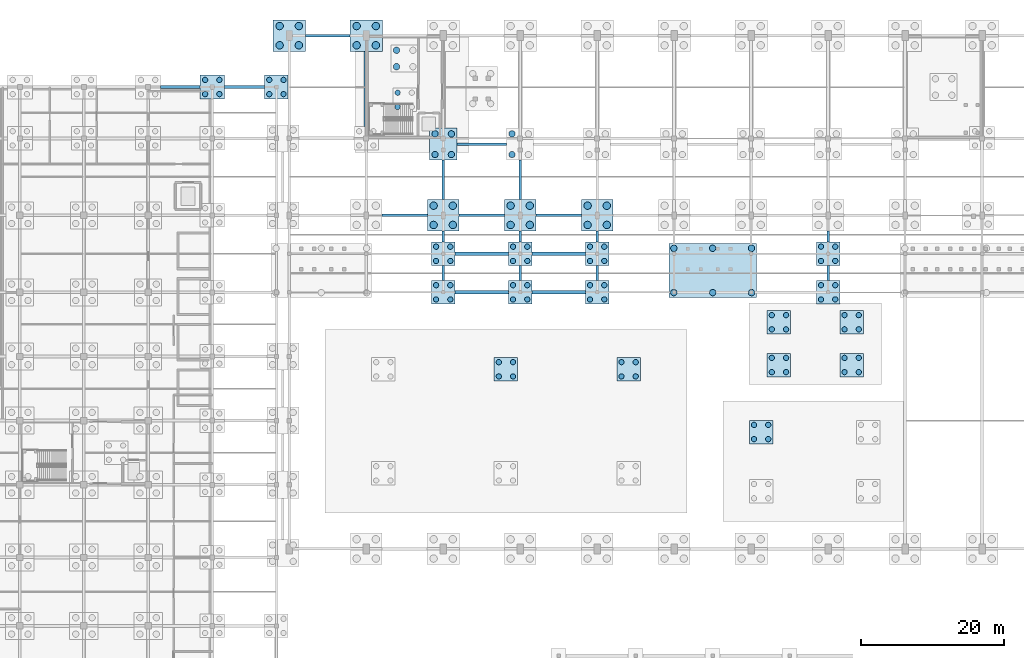
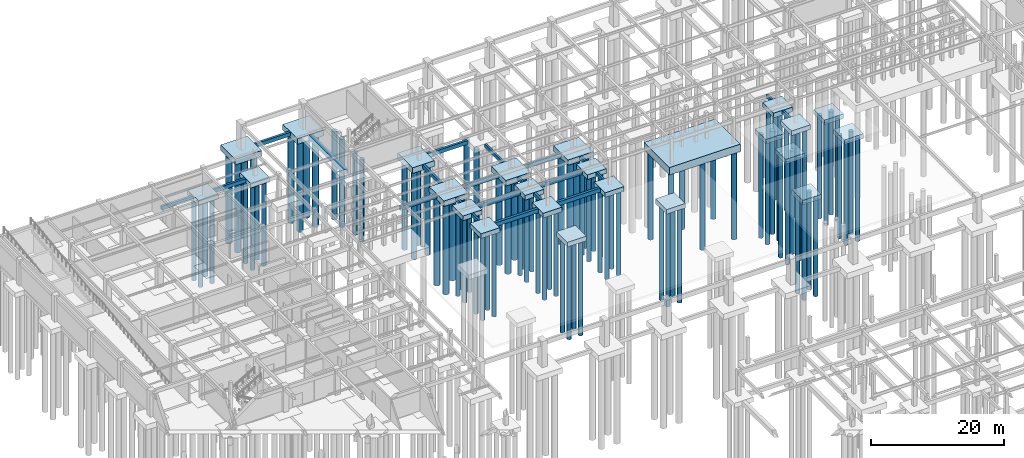
# One storey, part 6 of 33: 104 piles, 46 footings.
"""IFC4 building model written with IfcOpenShell, lengths in metres."""

from ifc_helpers import new_model, si_unit, direction, frame, origin, origin_2d, place, context, subcontext, project, spatial, rectangle, circle, extrude, material, material_profile, profile_set, type_object, element, save


model = new_model("IFC4")

# Units and contexts
model_context = context("Model", 3, precision=1e-05, world=origin(), true_north=direction((0.0, 1.0)))
body_context = subcontext(model_context, "Body", "Model", "MODEL_VIEW")
ifc_project = project(units=[si_unit("LENGTHUNIT", "METRE"), si_unit("AREAUNIT", "SQUARE_METRE"), si_unit("VOLUMEUNIT", "CUBIC_METRE"), si_unit("PLANEANGLEUNIT", "RADIAN"), si_unit("MASSUNIT", "GRAM", prefix="KILO")], contexts=[model_context])

# Site, building, storey
site_placement = place(None, origin())
site = spatial("IfcSite", under=ifc_project, at=site_placement, CompositionType="ELEMENT")
building_placement = place(site_placement, origin())
building = spatial("IfcBuilding", under=site, at=building_placement, Name="Suirenkawa Promenade Aquatics Centre", CompositionType="ELEMENT")
storey_placement = place(building_placement, frame((0.0, 0.0, -4.800048828125)))
storey = spatial("IfcBuildingStorey", under=building, at=storey_placement, Name="B1", CompositionType="ELEMENT", Elevation=-4.800048828125)

# Footings
ifc_material = material(Name="Concrete M35", Category="concrete")
footing_type_1 = type_object("IfcFootingType", Name="FT-GB-350x650", PredefinedType="FOOTING_BEAM", material=ifc_material)
footing_1_placement = place(storey_placement, frame((68.39990234375, 89.10009765625, -0.64990234375), z_axis=(0.0, 0.0, 1.0), x_axis=(0.0, 1.0, 0.0)))
element("IfcFooting", 1, at=footing_1_placement, inside=storey, type_object=footing_type_1, Name="Ground tie beam GB-06 GB-0238", PredefinedType="FOOTING_BEAM", context=body_context, shape_type="SweptSolid", body=[
    extrude(rectangle(XDim=2.10009765625, YDim=0.35009765625, at=origin_2d()), origin(), (0.0, 0.0, 1.0), 0.64990234375),
])
footing_2_placement = place(storey_placement, frame((68.39990234375, 94.22509765625, -0.64990234375), z_axis=(0.0, 0.0, 1.0), x_axis=(0.0, 1.0, 0.0)))
element("IfcFooting", 2, at=footing_2_placement, inside=storey, type_object=footing_type_1, Name="Ground tie beam GB-06 GB-0239", PredefinedType="FOOTING_BEAM", context=body_context, shape_type="SweptSolid", body=[
    extrude(rectangle(XDim=1.550048828125, YDim=0.35009765625, at=origin_2d()), origin(), (0.0, 0.0, 1.0), 0.64990234375),
])
footing_3_placement = place(storey_placement, frame((68.39990234375, 102.16259765625, -0.64990234375), z_axis=(0.0, 0.0, 1.0), x_axis=(0.0, 1.0, 0.0)))
element("IfcFooting", 3, at=footing_3_placement, inside=storey, type_object=footing_type_1, Name="Ground tie beam GB-06 GB-0240", PredefinedType="FOOTING_BEAM", context=body_context, shape_type="SweptSolid", body=[
    extrude(rectangle(XDim=5.52490234375, YDim=0.35009765625, at=origin_2d()), origin(), (0.0, 0.0, 1.0), 0.64990234375),
])
footing_4_placement = place(storey_placement, frame((79.199951171875, 89.10009765625, -0.64990234375), z_axis=(0.0, 0.0, 1.0), x_axis=(0.0, 1.0, 0.0)))
element("IfcFooting", 4, at=footing_4_placement, inside=storey, type_object=footing_type_1, Name="Ground tie beam GB-06 GB-0245", PredefinedType="FOOTING_BEAM", context=body_context, shape_type="SweptSolid", body=[
    extrude(rectangle(XDim=2.10009765625, YDim=0.35009765625, at=origin_2d()), origin(), (0.0, 0.0, 1.0), 0.64990234375),
])
footing_5_placement = place(storey_placement, frame((79.199951171875, 94.22509765625, -0.64990234375), z_axis=(0.0, 0.0, 1.0), x_axis=(0.0, 1.0, 0.0)))
element("IfcFooting", 5, at=footing_5_placement, inside=storey, type_object=footing_type_1, Name="Ground tie beam GB-06 GB-0246", PredefinedType="FOOTING_BEAM", context=body_context, shape_type="SweptSolid", body=[
    extrude(rectangle(XDim=1.550048828125, YDim=0.35009765625, at=origin_2d()), origin(), (0.0, 0.0, 1.0), 0.64990234375),
])
footing_6_placement = place(storey_placement, frame((79.199951171875, 102.16259765625, -0.64990234375), z_axis=(0.0, 0.0, 1.0), x_axis=(0.0, 1.0, 0.0)))
element("IfcFooting", 6, at=footing_6_placement, inside=storey, type_object=footing_type_1, Name="Ground tie beam GB-06 GB-0247", PredefinedType="FOOTING_BEAM", context=body_context, shape_type="SweptSolid", body=[
    extrude(rectangle(XDim=5.52490234375, YDim=0.35009765625, at=origin_2d()), origin(), (0.0, 0.0, 1.0), 0.64990234375),
])
footing_7_placement = place(storey_placement, frame((90.0, 89.10009765625, -0.64990234375), z_axis=(0.0, 0.0, 1.0), x_axis=(0.0, 1.0, 0.0)))
element("IfcFooting", 7, at=footing_7_placement, inside=storey, type_object=footing_type_1, Name="Ground tie beam GB-06 GB-0252", PredefinedType="FOOTING_BEAM", context=body_context, shape_type="SweptSolid", body=[
    extrude(rectangle(XDim=2.10009765625, YDim=0.35009765625, at=origin_2d()), origin(), (0.0, 0.0, 1.0), 0.64990234375),
])
footing_8_placement = place(storey_placement, frame((90.0, 94.22509765625, -0.64990234375), z_axis=(0.0, 0.0, 1.0), x_axis=(0.0, 1.0, 0.0)))
element("IfcFooting", 8, at=footing_8_placement, inside=storey, type_object=footing_type_1, Name="Ground tie beam GB-06 GB-0253", PredefinedType="FOOTING_BEAM", context=body_context, shape_type="SweptSolid", body=[
    extrude(rectangle(XDim=1.550048828125, YDim=0.35009765625, at=origin_2d()), origin(), (0.0, 0.0, 1.0), 0.64990234375),
])
footing_9_placement = place(storey_placement, frame((122.39990234375, 89.10009765625, -0.64990234375), z_axis=(0.0, 0.0, 1.0), x_axis=(0.0, 1.0, 0.0)))
element("IfcFooting", 9, at=footing_9_placement, inside=storey, type_object=footing_type_1, Name="Ground tie beam GB-06 GB-0270", PredefinedType="FOOTING_BEAM", context=body_context, shape_type="SweptSolid", body=[
    extrude(rectangle(XDim=2.10009765625, YDim=0.35009765625, at=origin_2d()), origin(), (0.0, 0.0, 1.0), 0.64990234375),
])
footing_10_placement = place(storey_placement, frame((122.39990234375, 94.22509765625, -0.64990234375), z_axis=(0.0, 0.0, 1.0), x_axis=(0.0, 1.0, 0.0)))
element("IfcFooting", 10, at=footing_10_placement, inside=storey, type_object=footing_type_1, Name="Ground tie beam GB-06 GB-0271", PredefinedType="FOOTING_BEAM", context=body_context, shape_type="SweptSolid", body=[
    extrude(rectangle(XDim=1.550048828125, YDim=0.35009765625, at=origin_2d()), origin(), (0.0, 0.0, 1.0), 0.64990234375),
])
footing_type_2 = type_object("IfcFootingType", Name="FT-GB-400x700", PredefinedType="FOOTING_BEAM", material=ifc_material)
for number, where, z_axis, x_axis, name in (
    (11, (63.0, 97.199951171875, -0.69970703125), (0.0, 0.0, 1.0), (1.0, 0.0, 0.0), "Ground tie beam GB-01 GB-0128"),
    (12, (73.800048828125, 97.199951171875, -0.69970703125), (0.0, 0.0, 1.0), (1.0, 0.0, 0.0), "Ground tie beam GB-01 GB-0129"),
    (13, (84.60009765625, 97.199951171875, -0.69970703125), (0.0, 0.0, 1.0), (1.0, 0.0, 0.0), "Ground tie beam GB-01 GB-0130"),
):
    element("IfcFooting", number, at=place(storey_placement, frame(where, z_axis=z_axis, x_axis=x_axis)), inside=storey, type_object=footing_type_2, Name=name, PredefinedType="FOOTING_BEAM", context=body_context, shape_type="SweptSolid", body=[
        extrude(rectangle(XDim=6.39990234375, YDim=0.39990234375, at=origin_2d()), origin(), (0.0, 0.0, 1.0), 0.699951171875),
    ])
footing_11_placement = place(storey_placement, frame((73.800048828125, 107.175048828125, -0.69970703125), z_axis=(0.0, 0.0, 1.0), x_axis=(1.0, 0.0, 0.0)))
element("IfcFooting", 14, at=footing_11_placement, inside=storey, type_object=footing_type_2, Name="Ground tie beam GB-01 GB-0138", PredefinedType="FOOTING_BEAM", context=body_context, shape_type="SweptSolid", body=[
    extrude(rectangle(XDim=7.0, YDim=0.39990234375, at=origin_2d()), origin(), (0.0, 0.0, 1.0), 0.699951171875),
])
footing_12_placement = place(storey_placement, frame((31.5, 115.199951171875, -0.69970703125), z_axis=(0.0, 0.0, 1.0), x_axis=(1.0, 0.0, 0.0)))
element("IfcFooting", 15, at=footing_12_placement, inside=storey, type_object=footing_type_2, Name="Ground tie beam GB-01 GB-0154", PredefinedType="FOOTING_BEAM", context=body_context, shape_type="SweptSolid", body=[
    extrude(rectangle(XDim=5.5, YDim=0.39990234375, at=origin_2d()), origin(), (0.0, 0.0, 1.0), 0.699951171875),
])
footing_13_placement = place(storey_placement, frame((40.550048828125, 115.199951171875, -0.69970703125), z_axis=(0.0, 0.0, 1.0), x_axis=(1.0, 0.0, 0.0)))
element("IfcFooting", 16, at=footing_13_placement, inside=storey, type_object=footing_type_2, Name="Ground tie beam GB-01 GB-0155", PredefinedType="FOOTING_BEAM", context=body_context, shape_type="SweptSolid", body=[
    extrude(rectangle(XDim=5.60009765625, YDim=0.39990234375, at=origin_2d()), origin(), (0.0, 0.0, 1.0), 0.699951171875),
])
footing_14_placement = place(storey_placement, frame((52.199951171875, 122.39990234375, -0.69970703125), z_axis=(0.0, 0.0, 1.0), x_axis=(1.0, 0.0, 0.0)))
element("IfcFooting", 17, at=footing_14_placement, inside=storey, type_object=footing_type_2, Name="Ground tie beam GB-01 GB-0156", PredefinedType="FOOTING_BEAM", context=body_context, shape_type="SweptSolid", body=[
    extrude(rectangle(XDim=6.199951171875, YDim=0.39990234375, at=origin_2d()), origin(), (0.0, 0.0, 1.0), 0.699951171875),
])
footing_type_3 = type_object("IfcFootingType", Name="FT-GB-450x750", PredefinedType="FOOTING_BEAM", material=ifc_material)
for number, where, z_axis, x_axis, name in (
    (18, (73.800048828125, 86.39990234375, -0.75), (0.0, 0.0, 1.0), (1.0, 0.0, 0.0), "Ground tie beam GB-02 GB-0115"),
    (19, (84.60009765625, 86.39990234375, -0.75), (0.0, 0.0, 1.0), (1.0, 0.0, 0.0), "Ground tie beam GB-02 GB-0116"),
    (20, (73.800048828125, 91.800048828125, -0.75), (0.0, 0.0, 1.0), (1.0, 0.0, 0.0), "Ground tie beam GB-02 GB-0120"),
    (21, (84.60009765625, 91.800048828125, -0.75), (0.0, 0.0, 1.0), (1.0, 0.0, 0.0), "Ground tie beam GB-02 GB-0121"),
):
    element("IfcFooting", number, at=place(storey_placement, frame(where, z_axis=z_axis, x_axis=x_axis)), inside=storey, type_object=footing_type_3, Name=name, PredefinedType="FOOTING_BEAM", context=body_context, shape_type="SweptSolid", body=[
        extrude(rectangle(XDim=7.5, YDim=0.449951171875, at=origin_2d()), origin(), (0.0, 0.0, 1.0), 0.75),
    ])
footing_type_4 = type_object("IfcFootingType", Name="FT-GB-600x900", PredefinedType="FOOTING_BEAM", material=ifc_material)
footing_15_placement = place(storey_placement, frame((57.60009765625, 114.925048828125, -0.89990234375), z_axis=(0.0, 0.0, 1.0), x_axis=(0.0, 1.0, 0.0)))
element("IfcFooting", 22, at=footing_15_placement, inside=storey, type_object=footing_type_4, Name="Ground tie beam GB-05 GB-0237", PredefinedType="FOOTING_BEAM", context=body_context, shape_type="SweptSolid", body=[
    extrude(rectangle(XDim=10.550048828125, YDim=0.60009765625, at=origin_2d()), origin(), (0.0, 0.0, 1.0), 0.89990234375),
])
footing_type_5 = type_object("IfcFootingType", Name="FT-PC-3300x3300x850", PredefinedType="PILE_CAP", material=ifc_material)
for number, where, z_axis, x_axis, name in (
    (23, (68.39990234375, 86.39990234375, -0.85009765625), (0.0, 0.0, 1.0), (1.0, 0.0, 0.0), "Foundation PC-02 CAP-149"),
    (24, (79.199951171875, 86.39990234375, -0.85009765625), (0.0, 0.0, 1.0), (1.0, 0.0, 0.0), "Foundation PC-02 CAP-150"),
    (25, (90.0, 86.39990234375, -0.85009765625), (0.0, 0.0, 1.0), (1.0, 0.0, 0.0), "Foundation PC-02 CAP-151"),
    (26, (122.39990234375, 86.39990234375, -0.85009765625), (0.0, 0.0, 1.0), (1.0, 0.0, 0.0), "Foundation PC-02 CAP-153"),
    (27, (68.39990234375, 91.800048828125, -0.85009765625), (0.0, 0.0, 1.0), (1.0, 0.0, 0.0), "Foundation PC-02 CAP-159"),
    (28, (79.199951171875, 91.800048828125, -0.85009765625), (0.0, 0.0, 1.0), (1.0, 0.0, 0.0), "Foundation PC-02 CAP-160"),
    (29, (90.0, 91.800048828125, -0.85009765625), (0.0, 0.0, 1.0), (1.0, 0.0, 0.0), "Foundation PC-02 CAP-161"),
    (30, (122.39990234375, 91.800048828125, -0.85009765625), (0.0, 0.0, 1.0), (1.0, 0.0, 0.0), "Foundation PC-02 CAP-162"),
    (31, (45.0, 115.199951171875, -0.85009765625), (0.0, 0.0, 1.0), (1.0, 0.0, 0.0), "Foundation PC-02 CAP-205"),
):
    element("IfcFooting", number, at=place(storey_placement, frame(where, z_axis=z_axis, x_axis=x_axis)), inside=storey, type_object=footing_type_5, Name=name, PredefinedType="PILE_CAP", context=body_context, shape_type="SweptSolid", body=[
        extrude(rectangle(XDim=3.300048828125, YDim=3.300048828125, at=origin_2d()), origin(), (0.0, 0.0, 1.0), 0.85009765625),
    ])
footing_type_6 = type_object("IfcFootingType", Name="FT-PC-3500x3300x880", PredefinedType="PILE_CAP", material=ifc_material)
footing_16_placement = place(storey_placement, frame((36.0, 115.199951171875, -0.8798828125), z_axis=(0.0, 0.0, 1.0), x_axis=(1.0, 0.0, 0.0)))
element("IfcFooting", 32, at=footing_16_placement, inside=storey, type_object=footing_type_6, Name="Foundation PC-03 CAP-204", PredefinedType="PILE_CAP", context=body_context, shape_type="SweptSolid", body=[
    extrude(rectangle(XDim=3.5, YDim=3.300048828125, at=origin_2d()), origin(), (0.0, 0.0, 1.0), 0.8798828125),
])
footing_type_7 = type_object("IfcFootingType", Name="FT-PC-4400x4400x1000", PredefinedType="PILE_CAP", material=ifc_material)
for number, where, z_axis, x_axis, name in (
    (33, (68.39990234375, 97.199951171875, -1.0), (0.0, 0.0, 1.0), (1.0, 0.0, 0.0), "Foundation PC-06 CAP-171"),
    (34, (79.199951171875, 97.199951171875, -1.0), (0.0, 0.0, 1.0), (1.0, 0.0, 0.0), "Foundation PC-06 CAP-172"),
    (35, (90.0, 97.199951171875, -1.0), (0.0, 0.0, 1.0), (1.0, 0.0, 0.0), "Foundation PC-06 CAP-173"),
):
    element("IfcFooting", number, at=place(storey_placement, frame(where, z_axis=z_axis, x_axis=x_axis)), inside=storey, type_object=footing_type_7, Name=name, PredefinedType="PILE_CAP", context=body_context, shape_type="SweptSolid", body=[
        extrude(rectangle(XDim=4.39990234375, YDim=4.39990234375, at=origin_2d()), origin(), (0.0, 0.0, 1.0), 1.0),
    ])
footing_type_8 = type_object("IfcFootingType", Name="FT-PC-4600x4400x1050", PredefinedType="PILE_CAP", material=ifc_material)
for number, where, z_axis, x_axis, name in (
    (36, (46.800048828125, 122.39990234375, -1.0498046875), (0.0, 0.0, 1.0), (1.0, 0.0, 0.0), "Foundation PC-07 CAP-206"),
    (37, (57.60009765625, 122.39990234375, -1.0498046875), (0.0, 0.0, 1.0), (1.0, 0.0, 0.0), "Foundation PC-07 CAP-207"),
):
    element("IfcFooting", number, at=place(storey_placement, frame(where, z_axis=z_axis, x_axis=x_axis)), inside=storey, type_object=footing_type_8, Name=name, PredefinedType="PILE_CAP", context=body_context, shape_type="SweptSolid", body=[
        extrude(rectangle(XDim=4.60009765625, YDim=4.39990234375, at=origin_2d()), origin(), (0.0, 0.0, 1.0), 1.050048828125),
    ])
footing_type_9 = type_object("IfcFootingType", Name="FT-PC-COMP-3300x3300x850", PredefinedType="PILE_CAP", material=ifc_material)
for number, where, z_axis, x_axis, name in (
    (38, (77.199951171875, 75.60009765625, 1.050048828125), (0.0, 0.0, 1.0), (1.0, 0.0, 0.0), "Foundation PC-08 CAP-226"),
    (39, (94.39990234375, 75.60009765625, 1.050048828125), (0.0, 0.0, 1.0), (1.0, 0.0, 0.0), "Foundation PC-08 CAP-228"),
):
    element("IfcFooting", number, at=place(storey_placement, frame(where, z_axis=z_axis, x_axis=x_axis)), inside=storey, type_object=footing_type_9, Name=name, PredefinedType="PILE_CAP", context=body_context, shape_type="SweptSolid", body=[
        extrude(rectangle(XDim=3.300048828125, YDim=3.300048828125, at=origin_2d()), origin(), (0.0, 0.0, 1.0), 0.85009765625),
    ])
footing_type_10 = type_object("IfcFootingType", Name="FT-PC-LEIS-3300x3300x850", PredefinedType="PILE_CAP", material=ifc_material)
for number, where, z_axis, x_axis, name in (
    (40, (115.5, 76.199951171875, 2.530029296875), (0.0, 0.0, 1.0), (1.0, 0.0, 0.0), "Foundation PC-10 CAP-233"),
    (41, (115.5, 82.199951171875, 2.530029296875), (0.0, 0.0, 1.0), (1.0, 0.0, 0.0), "Foundation PC-10 CAP-234"),
    (42, (125.699951171875, 76.199951171875, 2.530029296875), (0.0, 0.0, 1.0), (1.0, 0.0, 0.0), "Foundation PC-10 CAP-235"),
    (43, (125.699951171875, 82.199951171875, 2.530029296875), (0.0, 0.0, 1.0), (1.0, 0.0, 0.0), "Foundation PC-10 CAP-236"),
):
    element("IfcFooting", number, at=place(storey_placement, frame(where, z_axis=z_axis, x_axis=x_axis)), inside=storey, type_object=footing_type_10, Name=name, PredefinedType="PILE_CAP", context=body_context, shape_type="SweptSolid", body=[
        extrude(rectangle(XDim=3.300048828125, YDim=3.300048828125, at=origin_2d()), origin(), (0.0, 0.0, 1.0), 0.85009765625),
    ])
footing_type_11 = type_object("IfcFootingType", Name="FT-PC-TRAIN-3300x3300x850", PredefinedType="PILE_CAP", material=ifc_material)
footing_17_placement = place(storey_placement, frame((113.0, 66.800048828125, 1.570068359375), z_axis=(0.0, 0.0, 1.0), x_axis=(1.0, 0.0, 0.0)))
element("IfcFooting", 44, at=footing_17_placement, inside=storey, type_object=footing_type_11, Name="Foundation PC-09 CAP-230", PredefinedType="PILE_CAP", context=body_context, shape_type="SweptSolid", body=[
    extrude(rectangle(XDim=3.300048828125, YDim=3.300048828125, at=origin_2d()), origin(), (0.0, 0.0, 1.0), 0.85009765625),
])
footing_type_12 = type_object("IfcFootingType", Name="FT-PCC-12300x7620", PredefinedType="PILE_CAP", material=ifc_material)
footing_18_placement = place(storey_placement, frame((106.199951171875, 89.462890625, -1.39990234375), z_axis=(0.0, 0.0, 1.0), x_axis=(1.0, 0.0, 0.0)))
element("IfcFooting", 45, at=footing_18_placement, inside=storey, type_object=footing_type_12, Name="Foundation PCC-04 CAP-152", PredefinedType="PILE_CAP", context=body_context, shape_type="SweptSolid", body=[
    extrude(rectangle(XDim=12.300048828125, YDim=7.6201171875, at=origin_2d()), origin(), (0.0, 0.0, 1.0), 1.39990234375),
])
footing_type_13 = type_object("IfcFootingType", Name="FT-PCC-3800x4500x1050", PredefinedType="PILE_CAP", material=ifc_material)
footing_19_placement = place(storey_placement, frame((68.39990234375, 107.175048828125, -1.0498046875), z_axis=(0.0, 0.0, 1.0), x_axis=(1.0, 0.0, 0.0)))
element("IfcFooting", 46, at=footing_19_placement, inside=storey, type_object=footing_type_13, Name="Foundation PCC-02 CAP-183", PredefinedType="PILE_CAP", context=body_context, shape_type="SweptSolid", body=[
    extrude(rectangle(XDim=3.800048828125, YDim=4.5, at=origin_2d()), origin(), (0.0, 0.0, 1.0), 1.050048828125),
])

# Piles
ifc_material_profile_1 = material_profile(ifc_material, circle(Radius=0.52490234375, at=origin_2d()), Name="PILE D1050", Category="concrete")
ifc_profile_set_1 = profile_set([ifc_material_profile_1], Name="Concrete M35")
pile_type_1 = type_object("IfcPileType", Name="PT-BORED-1050", PredefinedType="BORED", material=ifc_profile_set_1)
for number, where, z_axis, x_axis, name in (
    (47, (67.050048828125, 95.85009765625, -0.89990234375), (0.0, 0.0, -1.0), (1.0, 0.0, 0.0), "Bored pile PL-04 PL-0647"),
    (48, (67.050048828125, 98.550048828125, -0.89990234375), (0.0, 0.0, -1.0), (1.0, 0.0, 0.0), "Bored pile PL-04 PL-0648"),
    (49, (69.75, 95.85009765625, -0.89990234375), (0.0, 0.0, -1.0), (1.0, 0.0, 0.0), "Bored pile PL-04 PL-0649"),
    (50, (69.75, 98.550048828125, -0.89990234375), (0.0, 0.0, -1.0), (1.0, 0.0, 0.0), "Bored pile PL-04 PL-0650"),
    (51, (77.85009765625, 95.85009765625, -0.89990234375), (0.0, 0.0, -1.0), (1.0, 0.0, 0.0), "Bored pile PL-04 PL-0651"),
    (52, (77.85009765625, 98.550048828125, -0.89990234375), (0.0, 0.0, -1.0), (1.0, 0.0, 0.0), "Bored pile PL-04 PL-0652"),
    (53, (80.550048828125, 95.85009765625, -0.89990234375), (0.0, 0.0, -1.0), (1.0, 0.0, 0.0), "Bored pile PL-04 PL-0653"),
    (54, (80.550048828125, 98.550048828125, -0.89990234375), (0.0, 0.0, -1.0), (1.0, 0.0, 0.0), "Bored pile PL-04 PL-0654"),
    (55, (88.64990234375, 95.85009765625, -0.89990234375), (0.0, 0.0, -1.0), (1.0, 0.0, 0.0), "Bored pile PL-04 PL-0655"),
    (56, (88.64990234375, 98.550048828125, -0.89990234375), (0.0, 0.0, -1.0), (1.0, 0.0, 0.0), "Bored pile PL-04 PL-0656"),
    (57, (91.35009765625, 95.85009765625, -0.89990234375), (0.0, 0.0, -1.0), (1.0, 0.0, 0.0), "Bored pile PL-04 PL-0657"),
    (58, (91.35009765625, 98.550048828125, -0.89990234375), (0.0, 0.0, -1.0), (1.0, 0.0, 0.0), "Bored pile PL-04 PL-0658"),
    (59, (45.449951171875, 121.050048828125, -0.89990234375), (0.0, 0.0, -1.0), (1.0, 0.0, 0.0), "Bored pile PL-04 PL-0787"),
    (60, (45.449951171875, 123.75, -0.89990234375), (0.0, 0.0, -1.0), (1.0, 0.0, 0.0), "Bored pile PL-04 PL-0788"),
    (61, (48.14990234375, 121.050048828125, -0.89990234375), (0.0, 0.0, -1.0), (1.0, 0.0, 0.0), "Bored pile PL-04 PL-0789"),
    (62, (48.14990234375, 123.75, -0.89990234375), (0.0, 0.0, -1.0), (1.0, 0.0, 0.0), "Bored pile PL-04 PL-0790"),
    (63, (56.25, 121.050048828125, -0.89990234375), (0.0, 0.0, -1.0), (1.0, 0.0, 0.0), "Bored pile PL-04 PL-0791"),
    (64, (56.25, 123.75, -0.89990234375), (0.0, 0.0, -1.0), (1.0, 0.0, 0.0), "Bored pile PL-04 PL-0792"),
    (65, (58.949951171875, 121.050048828125, -0.89990234375), (0.0, 0.0, -1.0), (1.0, 0.0, 0.0), "Bored pile PL-04 PL-0793"),
    (66, (58.949951171875, 123.75, -0.89990234375), (0.0, 0.0, -1.0), (1.0, 0.0, 0.0), "Bored pile PL-04 PL-0794"),
):
    element("IfcPile", number, at=place(storey_placement, frame(where, z_axis=z_axis, x_axis=x_axis)), inside=storey, type_object=pile_type_1, Name=name, PredefinedType="BORED", context=body_context, shape_type="SweptSolid", body=[
        extrude(circle(Radius=0.52490234375, at=origin_2d()), origin(), (0.0, 0.0, 1.0), 16.800048828125),
    ])
ifc_material_profile_2 = material_profile(ifc_material, circle(Radius=0.375, at=origin_2d()), Name="PILE D750", Category="concrete")
ifc_profile_set_2 = profile_set([ifc_material_profile_2], Name="Concrete M35")
pile_type_2 = type_object("IfcPileType", Name="PT-BORED-750", PredefinedType="BORED", material=ifc_profile_set_2)
for number, where, z_axis, x_axis, name in (
    (67, (67.39990234375, 85.39990234375, -0.75), (0.0, 0.0, -1.0), (1.0, 0.0, 0.0), "Bored pile PL-02 PL-0555"),
    (68, (67.39990234375, 87.39990234375, -0.75), (0.0, 0.0, -1.0), (1.0, 0.0, 0.0), "Bored pile PL-02 PL-0556"),
    (69, (69.39990234375, 85.39990234375, -0.75), (0.0, 0.0, -1.0), (1.0, 0.0, 0.0), "Bored pile PL-02 PL-0557"),
    (70, (69.39990234375, 87.39990234375, -0.75), (0.0, 0.0, -1.0), (1.0, 0.0, 0.0), "Bored pile PL-02 PL-0558"),
    (71, (78.199951171875, 85.39990234375, -0.75), (0.0, 0.0, -1.0), (1.0, 0.0, 0.0), "Bored pile PL-02 PL-0559"),
    (72, (78.199951171875, 87.39990234375, -0.75), (0.0, 0.0, -1.0), (1.0, 0.0, 0.0), "Bored pile PL-02 PL-0560"),
    (73, (80.199951171875, 85.39990234375, -0.75), (0.0, 0.0, -1.0), (1.0, 0.0, 0.0), "Bored pile PL-02 PL-0561"),
    (74, (80.199951171875, 87.39990234375, -0.75), (0.0, 0.0, -1.0), (1.0, 0.0, 0.0), "Bored pile PL-02 PL-0562"),
    (75, (89.0, 85.39990234375, -0.75), (0.0, 0.0, -1.0), (1.0, 0.0, 0.0), "Bored pile PL-02 PL-0563"),
    (76, (89.0, 87.39990234375, -0.75), (0.0, 0.0, -1.0), (1.0, 0.0, 0.0), "Bored pile PL-02 PL-0564"),
    (77, (91.0, 85.39990234375, -0.75), (0.0, 0.0, -1.0), (1.0, 0.0, 0.0), "Bored pile PL-02 PL-0565"),
    (78, (91.0, 87.39990234375, -0.75), (0.0, 0.0, -1.0), (1.0, 0.0, 0.0), "Bored pile PL-02 PL-0566"),
    (79, (121.39990234375, 85.39990234375, -0.75), (0.0, 0.0, -1.0), (1.0, 0.0, 0.0), "Bored pile PL-02 PL-0573"),
    (80, (121.39990234375, 87.39990234375, -0.75), (0.0, 0.0, -1.0), (1.0, 0.0, 0.0), "Bored pile PL-02 PL-0574"),
    (81, (123.39990234375, 85.39990234375, -0.75), (0.0, 0.0, -1.0), (1.0, 0.0, 0.0), "Bored pile PL-02 PL-0575"),
    (82, (123.39990234375, 87.39990234375, -0.75), (0.0, 0.0, -1.0), (1.0, 0.0, 0.0), "Bored pile PL-02 PL-0576"),
    (83, (67.39990234375, 90.800048828125, -0.75), (0.0, 0.0, -1.0), (1.0, 0.0, 0.0), "Bored pile PL-02 PL-0599"),
    (84, (67.39990234375, 92.800048828125, -0.75), (0.0, 0.0, -1.0), (1.0, 0.0, 0.0), "Bored pile PL-02 PL-0600"),
    (85, (69.39990234375, 90.800048828125, -0.75), (0.0, 0.0, -1.0), (1.0, 0.0, 0.0), "Bored pile PL-02 PL-0601"),
    (86, (69.39990234375, 92.800048828125, -0.75), (0.0, 0.0, -1.0), (1.0, 0.0, 0.0), "Bored pile PL-02 PL-0602"),
    (87, (78.199951171875, 90.800048828125, -0.75), (0.0, 0.0, -1.0), (1.0, 0.0, 0.0), "Bored pile PL-02 PL-0603"),
    (88, (78.199951171875, 92.800048828125, -0.75), (0.0, 0.0, -1.0), (1.0, 0.0, 0.0), "Bored pile PL-02 PL-0604"),
    (89, (80.199951171875, 90.800048828125, -0.75), (0.0, 0.0, -1.0), (1.0, 0.0, 0.0), "Bored pile PL-02 PL-0605"),
    (90, (80.199951171875, 92.800048828125, -0.75), (0.0, 0.0, -1.0), (1.0, 0.0, 0.0), "Bored pile PL-02 PL-0606"),
    (91, (89.0, 90.800048828125, -0.75), (0.0, 0.0, -1.0), (1.0, 0.0, 0.0), "Bored pile PL-02 PL-0607"),
    (92, (89.0, 92.800048828125, -0.75), (0.0, 0.0, -1.0), (1.0, 0.0, 0.0), "Bored pile PL-02 PL-0608"),
    (93, (91.0, 90.800048828125, -0.75), (0.0, 0.0, -1.0), (1.0, 0.0, 0.0), "Bored pile PL-02 PL-0609"),
    (94, (91.0, 92.800048828125, -0.75), (0.0, 0.0, -1.0), (1.0, 0.0, 0.0), "Bored pile PL-02 PL-0610"),
    (95, (121.39990234375, 90.800048828125, -0.75), (0.0, 0.0, -1.0), (1.0, 0.0, 0.0), "Bored pile PL-02 PL-0611"),
    (96, (121.39990234375, 92.800048828125, -0.75), (0.0, 0.0, -1.0), (1.0, 0.0, 0.0), "Bored pile PL-02 PL-0612"),
    (97, (123.39990234375, 90.800048828125, -0.75), (0.0, 0.0, -1.0), (1.0, 0.0, 0.0), "Bored pile PL-02 PL-0613"),
    (98, (123.39990234375, 92.800048828125, -0.75), (0.0, 0.0, -1.0), (1.0, 0.0, 0.0), "Bored pile PL-02 PL-0614"),
    (99, (35.0, 114.199951171875, -0.75), (0.0, 0.0, -1.0), (1.0, 0.0, 0.0), "Bored pile PL-02 PL-0779"),
    (100, (35.0, 116.199951171875, -0.75), (0.0, 0.0, -1.0), (1.0, 0.0, 0.0), "Bored pile PL-02 PL-0780"),
    (101, (37.0, 114.199951171875, -0.75), (0.0, 0.0, -1.0), (1.0, 0.0, 0.0), "Bored pile PL-02 PL-0781"),
    (102, (37.0, 116.199951171875, -0.75), (0.0, 0.0, -1.0), (1.0, 0.0, 0.0), "Bored pile PL-02 PL-0782"),
    (103, (44.0, 114.199951171875, -0.75), (0.0, 0.0, -1.0), (1.0, 0.0, 0.0), "Bored pile PL-02 PL-0783"),
    (104, (44.0, 116.199951171875, -0.75), (0.0, 0.0, -1.0), (1.0, 0.0, 0.0), "Bored pile PL-02 PL-0784"),
    (105, (46.0, 114.199951171875, -0.75), (0.0, 0.0, -1.0), (1.0, 0.0, 0.0), "Bored pile PL-02 PL-0785"),
    (106, (46.0, 116.199951171875, -0.75), (0.0, 0.0, -1.0), (1.0, 0.0, 0.0), "Bored pile PL-02 PL-0786"),
):
    element("IfcPile", number, at=place(storey_placement, frame(where, z_axis=z_axis, x_axis=x_axis)), inside=storey, type_object=pile_type_2, Name=name, PredefinedType="BORED", context=body_context, shape_type="SweptSolid", body=[
        extrude(circle(Radius=0.375, at=origin_2d()), origin(), (0.0, 0.0, 1.0), 15.60009765625),
    ])
for number, where, z_axis, x_axis, name in (
    (107, (62.0, 112.39990234375, -1.22998046875), (0.0, 0.0, -1.0), (1.0, 0.0, 0.0), "Bored pile PL-02 PL-0851"),
    (108, (62.0, 114.39990234375, -1.22998046875), (0.0, 0.0, -1.0), (1.0, 0.0, 0.0), "Bored pile PL-02 PL-0852"),
):
    element("IfcPile", number, at=place(storey_placement, frame(where, z_axis=z_axis, x_axis=x_axis)), inside=storey, type_object=pile_type_2, Name=name, PredefinedType="BORED", context=body_context, shape_type="SweptSolid", body=[
        extrude(circle(Radius=0.375, at=origin_2d()), origin(), (0.0, 0.0, 1.0), 15.1201171875),
    ])
for number, where, z_axis, x_axis, name in (
    (109, (76.199951171875, 74.60009765625, 1.150146484375), (0.0, 0.0, -1.0), (1.0, 0.0, 0.0), "Bored pile PL-02 PL-0867"),
    (110, (76.199951171875, 76.60009765625, 1.150146484375), (0.0, 0.0, -1.0), (1.0, 0.0, 0.0), "Bored pile PL-02 PL-0868"),
    (111, (78.199951171875, 74.60009765625, 1.150146484375), (0.0, 0.0, -1.0), (1.0, 0.0, 0.0), "Bored pile PL-02 PL-0869"),
    (112, (78.199951171875, 76.60009765625, 1.150146484375), (0.0, 0.0, -1.0), (1.0, 0.0, 0.0), "Bored pile PL-02 PL-0870"),
    (113, (93.39990234375, 74.60009765625, 1.150146484375), (0.0, 0.0, -1.0), (1.0, 0.0, 0.0), "Bored pile PL-02 PL-0875"),
    (114, (93.39990234375, 76.60009765625, 1.150146484375), (0.0, 0.0, -1.0), (1.0, 0.0, 0.0), "Bored pile PL-02 PL-0876"),
    (115, (95.39990234375, 74.60009765625, 1.150146484375), (0.0, 0.0, -1.0), (1.0, 0.0, 0.0), "Bored pile PL-02 PL-0877"),
    (116, (95.39990234375, 76.60009765625, 1.150146484375), (0.0, 0.0, -1.0), (1.0, 0.0, 0.0), "Bored pile PL-02 PL-0878"),
):
    element("IfcPile", number, at=place(storey_placement, frame(where, z_axis=z_axis, x_axis=x_axis)), inside=storey, type_object=pile_type_2, Name=name, PredefinedType="BORED", context=body_context, shape_type="SweptSolid", body=[
        extrude(circle(Radius=0.375, at=origin_2d()), origin(), (0.0, 0.0, 1.0), 17.5),
    ])
for number, where, z_axis, x_axis, name in (
    (117, (112.0, 65.800048828125, 1.670166015625), (0.0, 0.0, -1.0), (1.0, 0.0, 0.0), "Bored pile PL-02 PL-0883"),
    (118, (112.0, 67.800048828125, 1.670166015625), (0.0, 0.0, -1.0), (1.0, 0.0, 0.0), "Bored pile PL-02 PL-0884"),
    (119, (114.0, 65.800048828125, 1.670166015625), (0.0, 0.0, -1.0), (1.0, 0.0, 0.0), "Bored pile PL-02 PL-0885"),
    (120, (114.0, 67.800048828125, 1.670166015625), (0.0, 0.0, -1.0), (1.0, 0.0, 0.0), "Bored pile PL-02 PL-0886"),
):
    element("IfcPile", number, at=place(storey_placement, frame(where, z_axis=z_axis, x_axis=x_axis)), inside=storey, type_object=pile_type_2, Name=name, PredefinedType="BORED", context=body_context, shape_type="SweptSolid", body=[
        extrude(circle(Radius=0.375, at=origin_2d()), origin(), (0.0, 0.0, 1.0), 18.02001953125),
    ])
for number, where, z_axis, x_axis, name in (
    (121, (114.5, 75.199951171875, 2.630126953125), (0.0, 0.0, -1.0), (1.0, 0.0, 0.0), "Bored pile PL-02 PL-0895"),
    (122, (114.5, 77.199951171875, 2.630126953125), (0.0, 0.0, -1.0), (1.0, 0.0, 0.0), "Bored pile PL-02 PL-0896"),
    (123, (116.5, 75.199951171875, 2.630126953125), (0.0, 0.0, -1.0), (1.0, 0.0, 0.0), "Bored pile PL-02 PL-0897"),
    (124, (116.5, 77.199951171875, 2.630126953125), (0.0, 0.0, -1.0), (1.0, 0.0, 0.0), "Bored pile PL-02 PL-0898"),
    (125, (114.5, 81.199951171875, 2.630126953125), (0.0, 0.0, -1.0), (1.0, 0.0, 0.0), "Bored pile PL-02 PL-0899"),
    (126, (114.5, 83.199951171875, 2.630126953125), (0.0, 0.0, -1.0), (1.0, 0.0, 0.0), "Bored pile PL-02 PL-0900"),
    (127, (116.5, 81.199951171875, 2.630126953125), (0.0, 0.0, -1.0), (1.0, 0.0, 0.0), "Bored pile PL-02 PL-0901"),
    (128, (116.5, 83.199951171875, 2.630126953125), (0.0, 0.0, -1.0), (1.0, 0.0, 0.0), "Bored pile PL-02 PL-0902"),
    (129, (124.699951171875, 75.199951171875, 2.630126953125), (0.0, 0.0, -1.0), (1.0, 0.0, 0.0), "Bored pile PL-02 PL-0903"),
    (130, (124.699951171875, 77.199951171875, 2.630126953125), (0.0, 0.0, -1.0), (1.0, 0.0, 0.0), "Bored pile PL-02 PL-0904"),
    (131, (126.699951171875, 75.199951171875, 2.630126953125), (0.0, 0.0, -1.0), (1.0, 0.0, 0.0), "Bored pile PL-02 PL-0905"),
    (132, (126.699951171875, 77.199951171875, 2.630126953125), (0.0, 0.0, -1.0), (1.0, 0.0, 0.0), "Bored pile PL-02 PL-0906"),
    (133, (124.699951171875, 81.199951171875, 2.630126953125), (0.0, 0.0, -1.0), (1.0, 0.0, 0.0), "Bored pile PL-02 PL-0907"),
    (134, (124.699951171875, 83.199951171875, 2.630126953125), (0.0, 0.0, -1.0), (1.0, 0.0, 0.0), "Bored pile PL-02 PL-0908"),
    (135, (126.699951171875, 81.199951171875, 2.630126953125), (0.0, 0.0, -1.0), (1.0, 0.0, 0.0), "Bored pile PL-02 PL-0909"),
    (136, (126.699951171875, 83.199951171875, 2.630126953125), (0.0, 0.0, -1.0), (1.0, 0.0, 0.0), "Bored pile PL-02 PL-0910"),
):
    element("IfcPile", number, at=place(storey_placement, frame(where, z_axis=z_axis, x_axis=x_axis)), inside=storey, type_object=pile_type_2, Name=name, PredefinedType="BORED", context=body_context, shape_type="SweptSolid", body=[
        extrude(circle(Radius=0.375, at=origin_2d()), origin(), (0.0, 0.0, 1.0), 18.97998046875),
    ])
ifc_material_profile_3 = material_profile(ifc_material, circle(Radius=0.449951171875, at=origin_2d()), Name="PILE D900", Category="concrete")
ifc_profile_set_3 = profile_set([ifc_material_profile_3], Name="Concrete M35")
pile_type_3 = type_object("IfcPileType", Name="PT-BORED-900", PredefinedType="BORED", material=ifc_profile_set_3)
for number, where, z_axis, x_axis, name in (
    (137, (100.75, 86.35302734375, -1.300048828125), (0.0, 0.0, -1.0), (1.0, 0.0, 0.0), "Bored pile PL-03 PL-0567"),
    (138, (100.75, 92.572998046875, -1.300048828125), (0.0, 0.0, -1.0), (1.0, 0.0, 0.0), "Bored pile PL-03 PL-0568"),
    (139, (106.199951171875, 86.35302734375, -1.300048828125), (0.0, 0.0, -1.0), (1.0, 0.0, 0.0), "Bored pile PL-03 PL-0569"),
    (140, (106.199951171875, 92.572998046875, -1.300048828125), (0.0, 0.0, -1.0), (1.0, 0.0, 0.0), "Bored pile PL-03 PL-0570"),
    (141, (111.64990234375, 86.35302734375, -1.300048828125), (0.0, 0.0, -1.0), (1.0, 0.0, 0.0), "Bored pile PL-03 PL-0571"),
    (142, (111.64990234375, 92.572998046875, -1.300048828125), (0.0, 0.0, -1.0), (1.0, 0.0, 0.0), "Bored pile PL-03 PL-0572"),
    (143, (61.85009765625, 118.050048828125, -0.800048828125), (0.0, 0.0, -1.0), (1.0, 0.0, 0.0), "Bored pile PL-03 PL-0939"),
    (144, (61.85009765625, 120.35009765625, -0.800048828125), (0.0, 0.0, -1.0), (1.0, 0.0, 0.0), "Bored pile PL-03 PL-0940"),
):
    element("IfcPile", number, at=place(storey_placement, frame(where, z_axis=z_axis, x_axis=x_axis)), inside=storey, type_object=pile_type_3, Name=name, PredefinedType="BORED", context=body_context, shape_type="SweptSolid", body=[
        extrude(circle(Radius=0.449951171875, at=origin_2d()), origin(), (0.0, 0.0, 1.0), 16.199951171875),
    ])
ifc_material_profile_4 = material_profile(ifc_material, circle(Radius=0.449951171875, at=origin_2d()), Name="PILE D900", Category="concrete")
ifc_profile_set_4 = profile_set([ifc_material_profile_4], Name="Concrete M35")
pile_type_4 = type_object("IfcPileType", Name="PT-BORED-900B", PredefinedType="BORED", material=ifc_profile_set_4)
for number, where, z_axis, x_axis, name in (
    (145, (67.25, 105.72509765625, -0.949951171875), (0.0, 0.0, -1.0), (1.0, 0.0, 0.0), "Bored pile PL-03B PL-0695"),
    (146, (67.25, 108.625, -0.949951171875), (0.0, 0.0, -1.0), (1.0, 0.0, 0.0), "Bored pile PL-03B PL-0696"),
    (147, (69.550048828125, 105.72509765625, -0.949951171875), (0.0, 0.0, -1.0), (1.0, 0.0, 0.0), "Bored pile PL-03B PL-0697"),
    (148, (69.550048828125, 108.625, -0.949951171875), (0.0, 0.0, -1.0), (1.0, 0.0, 0.0), "Bored pile PL-03B PL-0698"),
    (149, (78.050048828125, 105.72509765625, -0.949951171875), (0.0, 0.0, -1.0), (1.0, 0.0, 0.0), "Bored pile PL-03B PL-0699"),
    (150, (78.050048828125, 108.625, -0.949951171875), (0.0, 0.0, -1.0), (1.0, 0.0, 0.0), "Bored pile PL-03B PL-0700"),
):
    element("IfcPile", number, at=place(storey_placement, frame(where, z_axis=z_axis, x_axis=x_axis)), inside=storey, type_object=pile_type_4, Name=name, PredefinedType="BORED", context=body_context, shape_type="SweptSolid", body=[
        extrude(circle(Radius=0.449951171875, at=origin_2d()), origin(), (0.0, 0.0, 1.0), 16.39990234375),
    ])

save(model, "model.ifc")
